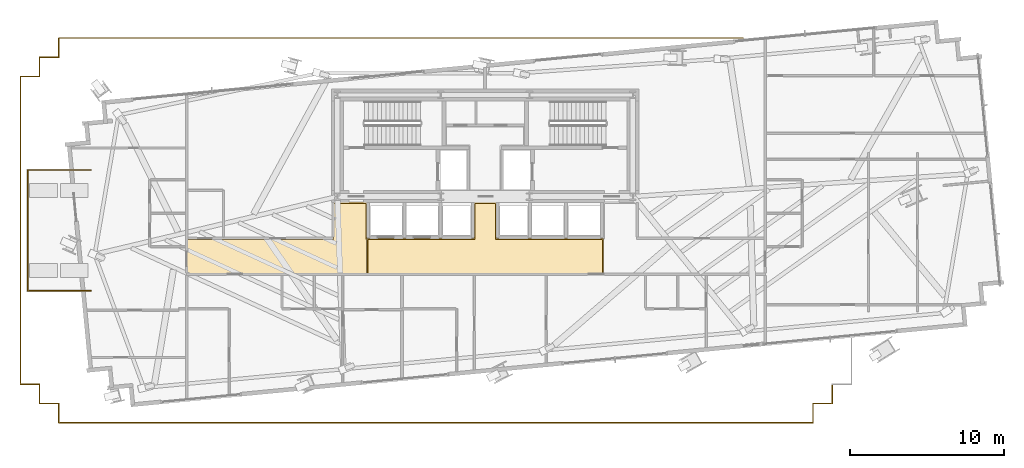
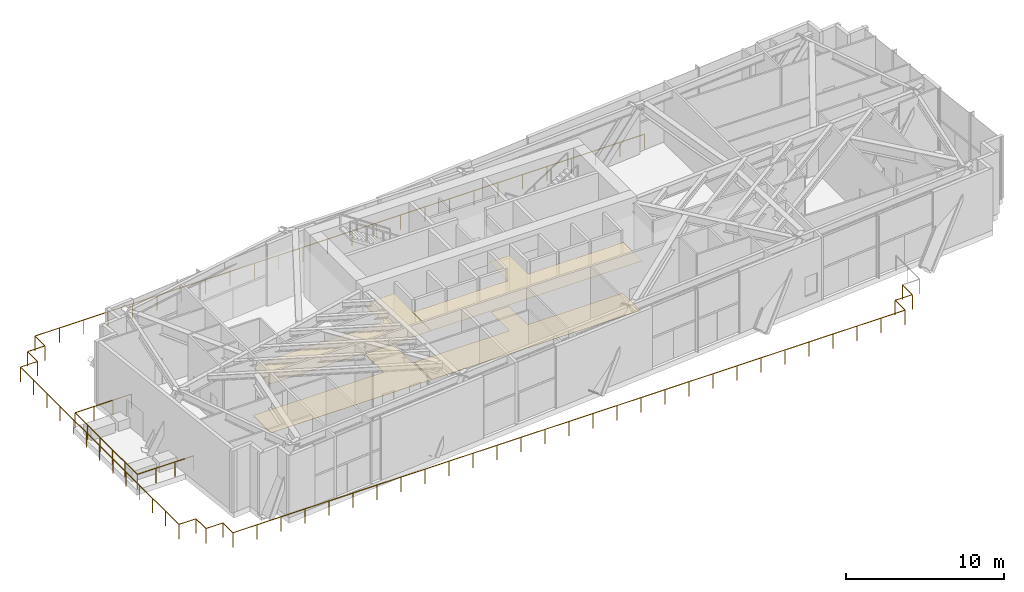
# One storey, part 25 of 28: 4 coverings, 2 railings.
"""IFC4 building model written with IfcOpenShell, lengths in metres."""

from ifc_helpers import new_model, si_unit, direction, frame, origin, origin_2d, place, context, subcontext, project, spatial, polyline, rectangle, outline, extrude, source, transform, mapped, material, layer, layer_set, type_object, type_shapes, element, save


model = new_model("IFC4")

# Units and contexts
model_context = context("Model", 3, precision=1e-05, world=origin(), true_north=direction((0.0, 1.0)))
body_context = subcontext(model_context, "Body", "Model", "MODEL_VIEW")
ifc_project = project(units=[si_unit("LENGTHUNIT", "METRE"), si_unit("AREAUNIT", "SQUARE_METRE"), si_unit("VOLUMEUNIT", "CUBIC_METRE"), si_unit("PLANEANGLEUNIT", "RADIAN"), si_unit("MASSUNIT", "GRAM", prefix="KILO")], contexts=[model_context])

# Site, building, storey
site_placement = place(None, origin())
site = spatial("IfcSite", under=ifc_project, at=site_placement, CompositionType="ELEMENT")
building_placement = place(site_placement, origin())
building = spatial("IfcBuilding", under=site, at=building_placement, Name="Astriad Promenade Condominiums", CompositionType="ELEMENT")
storey_placement = place(building_placement, frame((0.0, 0.0, 72.60009765625)))
storey = spatial("IfcBuildingStorey", under=building, at=storey_placement, Name="L20", CompositionType="ELEMENT", Elevation=72.60009765625)

# Coverings
ifc_material_1 = material(Name="Mineral-Fibre Acoustic Ceiling Tile")
ifc_layer_1 = layer(ifc_material_1, 0.02490234375)
ifc_layer_set_1 = layer_set([ifc_layer_1], Name="Mineral-Fibre Acoustic Ceiling Tile")
covering_type_1 = type_object("IfcCoveringType", Name="COV-CEIL-ACOUSTIC-25", PredefinedType="CEILING", material=ifc_layer_set_1)
covering_1_placement = place(storey_placement, frame((0.0, 0.0, 3.8349609375)))
element("IfcCovering", 1, at=covering_1_placement, inside=storey, type_object=covering_type_1, Name="CEIL-L20-LLB", PredefinedType="CEILING", context=body_context, shape_type="SweptSolid", body=[
    extrude(outline(polyline([(43.679931640625, 12.35009765625), (43.679931640625, 12.34716796875), (43.679443359375, 12.343994140625), (43.6787109375, 12.34130859375), (43.677734375, 12.33837890625), (43.676513671875, 12.3359375), (43.6748046875, 12.333251953125), (43.673095703125, 12.3310546875), (43.671142578125, 12.328857421875), (43.6689453125, 12.326904296875), (43.666748046875, 12.3251953125), (43.6640625, 12.323486328125), (43.66162109375, 12.322265625), (43.65869140625, 12.3212890625), (43.656005859375, 12.320556640625), (43.65283203125, 12.320068359375), (43.64990234375, 12.320068359375), (28.35009765625, 12.320068359375), (28.34716796875, 12.320068359375), (28.343994140625, 12.320556640625), (28.34130859375, 12.3212890625), (28.33837890625, 12.322265625), (28.3359375, 12.323486328125), (28.333251953125, 12.3251953125), (28.3310546875, 12.326904296875), (28.328857421875, 12.328857421875), (28.326904296875, 12.3310546875), (28.3251953125, 12.333251953125), (28.323486328125, 12.3359375), (28.322265625, 12.33837890625), (28.3212890625, 12.34130859375), (28.320556640625, 12.343994140625), (28.320068359375, 12.34716796875), (28.320068359375, 12.35009765625), (28.320068359375, 14.64990234375), (28.320068359375, 14.65283203125), (28.320556640625, 14.656005859375), (28.3212890625, 14.65869140625), (28.322265625, 14.66162109375), (28.323486328125, 14.6640625), (28.3251953125, 14.666748046875), (28.326904296875, 14.6689453125), (28.328857421875, 14.671142578125), (28.3310546875, 14.673095703125), (28.333251953125, 14.6748046875), (28.3359375, 14.676513671875), (28.33837890625, 14.677734375), (28.34130859375, 14.6787109375), (28.343994140625, 14.679443359375), (28.34716796875, 14.679931640625), (28.35009765625, 14.679931640625), (35.27001953125, 14.679931640625), (35.27001953125, 17.0), (35.27001953125, 17.0029296875), (35.2705078125, 17.005859375), (35.271240234375, 17.0087890625), (35.272216796875, 17.011474609375), (35.2734375, 17.01416015625), (35.275146484375, 17.0166015625), (35.27685546875, 17.01904296875), (35.27880859375, 17.021240234375), (35.281005859375, 17.023193359375), (35.283203125, 17.02490234375), (35.285888671875, 17.026611328125), (35.28857421875, 17.027587890625), (35.291259765625, 17.02880859375), (35.294189453125, 17.029296875), (35.297119140625, 17.02978515625), (35.300048828125, 17.030029296875), (36.699951171875, 17.030029296875), (36.702880859375, 17.02978515625), (36.705810546875, 17.029296875), (36.708740234375, 17.02880859375), (36.71142578125, 17.027587890625), (36.714111328125, 17.026611328125), (36.716796875, 17.02490234375), (36.718994140625, 17.023193359375), (36.72119140625, 17.021240234375), (36.72314453125, 17.01904296875), (36.724853515625, 17.0166015625), (36.7265625, 17.01416015625), (36.727783203125, 17.011474609375), (36.728759765625, 17.0087890625), (36.7294921875, 17.005859375), (36.72998046875, 17.0029296875), (36.72998046875, 17.0), (36.72998046875, 14.679931640625), (43.64990234375, 14.679931640625), (43.65283203125, 14.679931640625), (43.656005859375, 14.679443359375), (43.65869140625, 14.6787109375), (43.66162109375, 14.677734375), (43.6640625, 14.676513671875), (43.666748046875, 14.6748046875), (43.6689453125, 14.673095703125), (43.671142578125, 14.671142578125), (43.673095703125, 14.6689453125), (43.6748046875, 14.666748046875), (43.676513671875, 14.6640625), (43.677734375, 14.66162109375), (43.6787109375, 14.65869140625), (43.679443359375, 14.656005859375), (43.679931640625, 14.65283203125), (43.679931640625, 14.64990234375), (43.679931640625, 12.35009765625)])), origin(), (0.0, 0.0, 1.0), 0.02490234375),
])
covering_2_placement = place(storey_placement, frame((0.0, 0.0, 3.8349609375)))
element("IfcCovering", 2, at=covering_2_placement, inside=storey, type_object=covering_type_1, Name="CEIL-L20-COR-2", PredefinedType="CEILING", context=body_context, shape_type="SweptSolid", body=[
    extrude(outline(polyline([(16.59716796875, 12.320068359375), (16.593994140625, 12.320556640625), (16.59130859375, 12.3212890625), (16.58837890625, 12.322265625), (16.5859375, 12.323486328125), (16.583251953125, 12.3251953125), (16.5810546875, 12.326904296875), (16.578857421875, 12.328857421875), (16.576904296875, 12.3310546875), (16.5751953125, 12.333251953125), (16.573486328125, 12.3359375), (16.572265625, 12.33837890625), (16.5712890625, 12.34130859375), (16.570556640625, 12.343994140625), (16.570068359375, 12.34716796875), (16.570068359375, 12.35009765625), (16.570068359375, 14.659912109375), (16.570068359375, 14.662841796875), (16.570556640625, 14.666015625), (16.5712890625, 14.668701171875), (16.572265625, 14.67138671875), (16.573486328125, 14.674072265625), (16.5751953125, 14.6767578125), (16.576904296875, 14.678955078125), (16.578857421875, 14.68115234375), (16.5810546875, 14.68310546875), (16.583251953125, 14.684814453125), (16.5859375, 14.6865234375), (16.58837890625, 14.687744140625), (16.59130859375, 14.688720703125), (16.593994140625, 14.689453125), (16.59716796875, 14.68994140625), (16.60009765625, 14.68994140625), (26.090087890625, 14.68994140625), (26.090087890625, 17.0), (26.090087890625, 17.0029296875), (26.090576171875, 17.005859375), (26.09130859375, 17.0087890625), (26.09228515625, 17.011474609375), (26.093505859375, 17.01416015625), (26.09521484375, 17.0166015625), (26.0966796875, 17.01904296875), (26.098876953125, 17.021240234375), (26.10107421875, 17.023193359375), (26.103271484375, 17.02490234375), (26.10595703125, 17.026611328125), (26.1083984375, 17.027587890625), (26.111328125, 17.02880859375), (26.114013671875, 17.029296875), (26.1171875, 17.02978515625), (26.1201171875, 17.030029296875), (28.300048828125, 17.030029296875), (28.302978515625, 17.02978515625), (28.305908203125, 17.029296875), (28.30859375, 17.02880859375), (28.3115234375, 17.027587890625), (28.314208984375, 17.026611328125), (28.316650390625, 17.02490234375), (28.319091796875, 17.023193359375), (28.3212890625, 17.021240234375), (28.3232421875, 17.01904296875), (28.324951171875, 17.0166015625), (28.326416015625, 17.01416015625), (28.32763671875, 17.011474609375), (28.32861328125, 17.0087890625), (28.329345703125, 17.005859375), (28.329833984375, 17.0029296875), (28.330078125, 17.0), (28.330078125, 14.69580078125), (28.330078125, 14.69580078125), (28.327392578125, 14.694580078125), (28.32568359375, 14.693603515625), (28.322998046875, 14.692138671875), (28.3212890625, 14.69091796875), (28.319091796875, 14.689208984375), (28.3173828125, 14.68798828125), (28.3154296875, 14.68603515625), (28.31396484375, 14.6845703125), (28.31201171875, 14.6826171875), (28.310791015625, 14.680908203125), (28.30908203125, 14.6787109375), (28.307861328125, 14.677001953125), (28.306396484375, 14.67431640625), (28.305419921875, 14.672607421875), (28.30419921875, 14.669921875), (28.303466796875, 14.668212890625), (28.302490234375, 14.665283203125), (28.302001953125, 14.66357421875), (28.30126953125, 14.66064453125), (28.30078125, 14.65869140625), (28.30029296875, 14.656005859375), (28.30029296875, 14.65380859375), (28.300048828125, 14.65087890625), (28.300048828125, 14.64990234375), (28.300048828125, 12.35009765625), (28.300048828125, 12.34912109375), (28.30029296875, 12.34619140625), (28.30029296875, 12.343994140625), (28.30078125, 12.34130859375), (28.30126953125, 12.33935546875), (28.302001953125, 12.33642578125), (28.302490234375, 12.334716796875), (28.303466796875, 12.331787109375), (28.30419921875, 12.330078125), (28.305419921875, 12.327392578125), (28.306396484375, 12.32568359375), (28.307861328125, 12.322998046875), (28.30908203125, 12.3212890625), (28.31005859375, 12.320068359375), (16.60009765625, 12.320068359375), (16.59716796875, 12.320068359375)])), origin(), (0.0, 0.0, 1.0), 0.02490234375),
])
ifc_material_2 = material(Name="Polished Lakefront Terrazzo Flooring")
ifc_layer_2 = layer(ifc_material_2, 0.02001953125)
ifc_layer_set_2 = layer_set([ifc_layer_2], Name="Polished Lakefront Terrazzo Flooring")
covering_type_2 = type_object("IfcCoveringType", Name="COV-FLOR-TERRAZZO-20", PredefinedType="FLOORING", material=ifc_layer_set_2)
covering_3_placement = place(storey_placement, origin())
element("IfcCovering", 3, at=covering_3_placement, inside=storey, type_object=covering_type_2, Name="FLR-L20-LLB", PredefinedType="FLOORING", context=body_context, shape_type="SweptSolid", body=[
    extrude(outline(polyline([(43.610107421875, 14.610107421875), (43.610107421875, 12.389892578125), (28.389892578125, 12.389892578125), (28.389892578125, 14.610107421875), (35.300048828125, 14.610107421875), (35.303955078125, 14.610107421875), (35.307861328125, 14.61083984375), (35.3115234375, 14.61181640625), (35.315185546875, 14.613037109375), (35.31884765625, 14.61474609375), (35.322265625, 14.61669921875), (35.325439453125, 14.619140625), (35.328369140625, 14.62158203125), (35.330810546875, 14.62451171875), (35.333251953125, 14.627685546875), (35.335205078125, 14.631103515625), (35.3369140625, 14.634765625), (35.33837890625, 14.638427734375), (35.339111328125, 14.64208984375), (35.33984375, 14.64599609375), (35.340087890625, 14.64990234375), (35.340087890625, 16.9599609375), (36.659912109375, 16.9599609375), (36.659912109375, 14.64990234375), (36.66015625, 14.64599609375), (36.660888671875, 14.64208984375), (36.66162109375, 14.638427734375), (36.6630859375, 14.634765625), (36.664794921875, 14.631103515625), (36.666748046875, 14.627685546875), (36.669189453125, 14.62451171875), (36.671630859375, 14.62158203125), (36.674560546875, 14.619140625), (36.677734375, 14.61669921875), (36.68115234375, 14.61474609375), (36.684814453125, 14.613037109375), (36.6884765625, 14.61181640625), (36.692138671875, 14.61083984375), (36.696044921875, 14.610107421875), (36.699951171875, 14.610107421875), (43.610107421875, 14.610107421875)])), origin(), (0.0, 0.0, 1.0), 0.02001953125),
])
covering_4_placement = place(storey_placement, origin())
element("IfcCovering", 4, at=covering_4_placement, inside=storey, type_object=covering_type_2, Name="FLR-L20-COR-2", PredefinedType="FLOORING", context=body_context, shape_type="SweptSolid", body=[
    extrude(outline(polyline([(28.300048828125, 12.389892578125), (16.639892578125, 12.389892578125), (16.639892578125, 14.6201171875), (26.1201171875, 14.6201171875), (26.123779296875, 14.6201171875), (26.127685546875, 14.620849609375), (26.131591796875, 14.62158203125), (26.13525390625, 14.623046875), (26.138916015625, 14.624755859375), (26.14208984375, 14.626708984375), (26.1455078125, 14.629150390625), (26.148193359375, 14.631591796875), (26.15087890625, 14.634521484375), (26.1533203125, 14.6376953125), (26.1552734375, 14.64111328125), (26.156982421875, 14.644775390625), (26.158203125, 14.6484375), (26.1591796875, 14.652099609375), (26.159912109375, 14.656005859375), (26.159912109375, 14.659912109375), (26.159912109375, 16.9599609375), (28.260009765625, 16.9599609375), (28.260009765625, 14.64990234375), (28.26025390625, 14.64599609375), (28.2607421875, 14.64208984375), (28.26171875, 14.638427734375), (28.262939453125, 14.634765625), (28.2646484375, 14.631103515625), (28.2666015625, 14.627685546875), (28.26904296875, 14.62451171875), (28.271728515625, 14.62158203125), (28.274658203125, 14.619140625), (28.27783203125, 14.61669921875), (28.281005859375, 14.61474609375), (28.28466796875, 14.613037109375), (28.288330078125, 14.61181640625), (28.292236328125, 14.61083984375), (28.296142578125, 14.610107421875), (28.300048828125, 14.610107421875), (28.300048828125, 12.389892578125)])), origin(), (0.0, 0.0, 1.0), 0.02001953125),
])

# Railings
ifc_material_3 = material(Name="Anodised Aluminium and Glass Terrace Guardrail", Category="aluminium")
railing_type = type_object("IfcRailingType", Name="GRD-TERR-1150", PredefinedType="GUARDRAIL", material=ifc_material_3)
shared_shape_1 = source(origin(), body_context, "Body", "SweptSolid", [
    extrude(rectangle(XDim=0.048095703125, YDim=0.048095703125, at=origin_2d()), frame((0.0, 0.0, 1.1259765625), z_axis=(0.0, -1.0, 0.0), x_axis=(1.0, 0.0, 0.0)), (0.0, 0.0, 1.0), 1.25),
    extrude(rectangle(XDim=0.048095703125, YDim=0.048095703125, at=origin_2d()), frame((0.0, -1.25, 1.1259765625), z_axis=(-1.0, 0.0, 0.0), x_axis=(0.0, -1.0, 0.0)), (0.0, 0.0, 1.0), 1.25),
    extrude(rectangle(XDim=0.048095703125, YDim=0.048095703125, at=origin_2d()), frame((-1.25, -1.25, 1.1259765625), z_axis=(0.0, -1.0, 0.0), x_axis=(1.0, 0.0, 0.0)), (0.0, 0.0, 1.0), 1.25),
    extrude(rectangle(XDim=0.048095703125, YDim=0.048095703125, at=origin_2d()), frame((-1.25, -2.5, 1.1259765625), z_axis=(-1.0, 0.0, 0.0), x_axis=(0.0, -1.0, 0.0)), (0.0, 0.0, 1.0), 49.0),
    extrude(rectangle(XDim=0.048095703125, YDim=0.048095703125, at=origin_2d()), frame((-50.25, -2.5, 1.1259765625), z_axis=(0.0, 1.0, 0.0), x_axis=(-1.0, 0.0, 0.0)), (0.0, 0.0, 1.0), 1.25),
    extrude(rectangle(XDim=0.048095703125, YDim=0.048095703125, at=origin_2d()), frame((-50.25, -1.25, 1.1259765625), z_axis=(-1.0, 0.0, 0.0), x_axis=(0.0, -1.0, 0.0)), (0.0, 0.0, 1.0), 1.25),
    extrude(rectangle(XDim=0.048095703125, YDim=0.048095703125, at=origin_2d()), frame((-51.5, -1.25, 1.1259765625), z_axis=(0.0, 1.0, 0.0), x_axis=(-1.0, 0.0, 0.0)), (0.0, 0.0, 1.0), 1.25),
    extrude(rectangle(XDim=0.048095703125, YDim=0.048095703125, at=origin_2d()), frame((-51.5, 0.0, 1.1259765625), z_axis=(-1.0, 0.0, 0.0), x_axis=(0.0, -1.0, 0.0)), (0.0, 0.0, 1.0), 1.25),
    extrude(rectangle(XDim=0.048095703125, YDim=0.048095703125, at=origin_2d()), frame((-52.75, 0.0, 1.1259765625), z_axis=(0.0, 1.0, 0.0), x_axis=(-1.0, 0.0, 0.0)), (0.0, 0.0, 1.0), 20.0),
    extrude(rectangle(XDim=0.048095703125, YDim=0.048095703125, at=origin_2d()), frame((-52.75, 20.0, 1.1259765625), z_axis=(1.0, 0.0, 0.0), x_axis=(0.0, 1.0, 0.0)), (0.0, 0.0, 1.0), 1.25),
    extrude(rectangle(XDim=0.048095703125, YDim=0.048095703125, at=origin_2d()), frame((-51.5, 20.0, 1.1259765625), z_axis=(0.0, 1.0, 0.0), x_axis=(-1.0, 0.0, 0.0)), (0.0, 0.0, 1.0), 1.25),
    extrude(rectangle(XDim=0.048095703125, YDim=0.048095703125, at=origin_2d()), frame((-51.5, 21.25, 1.1259765625), z_axis=(1.0, 0.0, 0.0), x_axis=(0.0, 1.0, 0.0)), (0.0, 0.0, 1.0), 1.25),
    extrude(rectangle(XDim=0.048095703125, YDim=0.048095703125, at=origin_2d()), frame((-50.25, 21.25, 1.1259765625), z_axis=(0.0, 1.0, 0.0), x_axis=(-1.0, 0.0, 0.0)), (0.0, 0.0, 1.0), 1.25),
    extrude(rectangle(XDim=0.048095703125, YDim=0.048095703125, at=origin_2d()), frame((-50.25, 22.5, 1.1259765625), z_axis=(1.0, 0.0, 0.0), x_axis=(0.0, 1.0, 0.0)), (0.0, 0.0, 1.0), 44.43701171875),
    extrude(rectangle(XDim=0.0419921875, YDim=0.0419921875, at=origin_2d()), origin(), (0.0, 0.0, 1.0), 1.101806640625),
    extrude(rectangle(XDim=0.0419921875, YDim=0.0419921875, at=origin_2d()), frame((0.0, -1.25, 0.0)), (0.0, 0.0, 1.0), 1.101806640625),
    extrude(rectangle(XDim=0.0419921875, YDim=0.0419921875, at=origin_2d()), frame((-1.25, -1.25, 0.0)), (0.0, 0.0, 1.0), 1.101806640625),
    extrude(rectangle(XDim=0.0419921875, YDim=0.0419921875, at=origin_2d()), frame((-1.25, -2.5, 0.0)), (0.0, 0.0, 1.0), 1.101806640625),
    extrude(rectangle(XDim=0.0419921875, YDim=0.0419921875, at=origin_2d()), frame((-3.0, -2.5, 0.0)), (0.0, 0.0, 1.0), 1.101806640625),
    extrude(rectangle(XDim=0.0419921875, YDim=0.0419921875, at=origin_2d()), frame((-4.75, -2.5, 0.0)), (0.0, 0.0, 1.0), 1.101806640625),
    extrude(rectangle(XDim=0.0419921875, YDim=0.0419921875, at=origin_2d()), frame((-6.5, -2.5, 0.0)), (0.0, 0.0, 1.0), 1.101806640625),
    extrude(rectangle(XDim=0.0419921875, YDim=0.0419921875, at=origin_2d()), frame((-8.25, -2.5, 0.0)), (0.0, 0.0, 1.0), 1.101806640625),
    extrude(rectangle(XDim=0.0419921875, YDim=0.0419921875, at=origin_2d()), frame((-10.0, -2.5, 0.0)), (0.0, 0.0, 1.0), 1.101806640625),
    extrude(rectangle(XDim=0.0419921875, YDim=0.0419921875, at=origin_2d()), frame((-11.75, -2.5, 0.0)), (0.0, 0.0, 1.0), 1.101806640625),
    extrude(rectangle(XDim=0.0419921875, YDim=0.0419921875, at=origin_2d()), frame((-13.5, -2.5, 0.0)), (0.0, 0.0, 1.0), 1.101806640625),
    extrude(rectangle(XDim=0.0419921875, YDim=0.0419921875, at=origin_2d()), frame((-15.25, -2.5, 0.0)), (0.0, 0.0, 1.0), 1.101806640625),
    extrude(rectangle(XDim=0.0419921875, YDim=0.0419921875, at=origin_2d()), frame((-17.0, -2.5, 0.0)), (0.0, 0.0, 1.0), 1.101806640625),
    extrude(rectangle(XDim=0.0419921875, YDim=0.0419921875, at=origin_2d()), frame((-18.75, -2.5, 0.0)), (0.0, 0.0, 1.0), 1.101806640625),
    extrude(rectangle(XDim=0.0419921875, YDim=0.0419921875, at=origin_2d()), frame((-20.5, -2.5, 0.0)), (0.0, 0.0, 1.0), 1.101806640625),
    extrude(rectangle(XDim=0.0419921875, YDim=0.0419921875, at=origin_2d()), frame((-22.25, -2.5, 0.0)), (0.0, 0.0, 1.0), 1.101806640625),
    extrude(rectangle(XDim=0.0419921875, YDim=0.0419921875, at=origin_2d()), frame((-24.0, -2.5, 0.0)), (0.0, 0.0, 1.0), 1.101806640625),
    extrude(rectangle(XDim=0.0419921875, YDim=0.0419921875, at=origin_2d()), frame((-25.75, -2.5, 0.0)), (0.0, 0.0, 1.0), 1.101806640625),
    extrude(rectangle(XDim=0.0419921875, YDim=0.0419921875, at=origin_2d()), frame((-27.5, -2.5, 0.0)), (0.0, 0.0, 1.0), 1.101806640625),
    extrude(rectangle(XDim=0.0419921875, YDim=0.0419921875, at=origin_2d()), frame((-29.25, -2.5, 0.0)), (0.0, 0.0, 1.0), 1.101806640625),
    extrude(rectangle(XDim=0.0419921875, YDim=0.0419921875, at=origin_2d()), frame((-31.0, -2.5, 0.0)), (0.0, 0.0, 1.0), 1.101806640625),
    extrude(rectangle(XDim=0.0419921875, YDim=0.0419921875, at=origin_2d()), frame((-32.75, -2.5, 0.0)), (0.0, 0.0, 1.0), 1.101806640625),
    extrude(rectangle(XDim=0.0419921875, YDim=0.0419921875, at=origin_2d()), frame((-34.5, -2.5, 0.0)), (0.0, 0.0, 1.0), 1.101806640625),
    extrude(rectangle(XDim=0.0419921875, YDim=0.0419921875, at=origin_2d()), frame((-36.25, -2.5, 0.0)), (0.0, 0.0, 1.0), 1.101806640625),
    extrude(rectangle(XDim=0.0419921875, YDim=0.0419921875, at=origin_2d()), frame((-38.0, -2.5, 0.0)), (0.0, 0.0, 1.0), 1.101806640625),
    extrude(rectangle(XDim=0.0419921875, YDim=0.0419921875, at=origin_2d()), frame((-39.75, -2.5, 0.0)), (0.0, 0.0, 1.0), 1.101806640625),
    extrude(rectangle(XDim=0.0419921875, YDim=0.0419921875, at=origin_2d()), frame((-41.5, -2.5, 0.0)), (0.0, 0.0, 1.0), 1.101806640625),
    extrude(rectangle(XDim=0.0419921875, YDim=0.0419921875, at=origin_2d()), frame((-43.25, -2.5, 0.0)), (0.0, 0.0, 1.0), 1.101806640625),
    extrude(rectangle(XDim=0.0419921875, YDim=0.0419921875, at=origin_2d()), frame((-45.0, -2.5, 0.0)), (0.0, 0.0, 1.0), 1.101806640625),
    extrude(rectangle(XDim=0.0419921875, YDim=0.0419921875, at=origin_2d()), frame((-46.75, -2.5, 0.0)), (0.0, 0.0, 1.0), 1.101806640625),
    extrude(rectangle(XDim=0.0419921875, YDim=0.0419921875, at=origin_2d()), frame((-48.5, -2.5, 0.0)), (0.0, 0.0, 1.0), 1.101806640625),
    extrude(rectangle(XDim=0.0419921875, YDim=0.0419921875, at=origin_2d()), frame((-50.25, -2.5, 0.0)), (0.0, 0.0, 1.0), 1.101806640625),
    extrude(rectangle(XDim=0.0419921875, YDim=0.0419921875, at=origin_2d()), frame((-50.25, -1.25, 0.0)), (0.0, 0.0, 1.0), 1.101806640625),
    extrude(rectangle(XDim=0.0419921875, YDim=0.0419921875, at=origin_2d()), frame((-51.5, -1.25, 0.0)), (0.0, 0.0, 1.0), 1.101806640625),
    extrude(rectangle(XDim=0.0419921875, YDim=0.0419921875, at=origin_2d()), frame((-51.5, 0.0, 0.0)), (0.0, 0.0, 1.0), 1.101806640625),
    extrude(rectangle(XDim=0.0419921875, YDim=0.0419921875, at=origin_2d()), frame((-52.75, 0.0, 0.0)), (0.0, 0.0, 1.0), 1.101806640625),
    extrude(rectangle(XDim=0.0419921875, YDim=0.0419921875, at=origin_2d()), frame((-52.75, 1.666748046875, 0.0)), (0.0, 0.0, 1.0), 1.101806640625),
    extrude(rectangle(XDim=0.0419921875, YDim=0.0419921875, at=origin_2d()), frame((-52.75, 3.333251953125, 0.0)), (0.0, 0.0, 1.0), 1.101806640625),
    extrude(rectangle(XDim=0.0419921875, YDim=0.0419921875, at=origin_2d()), frame((-52.75, 5.0, 0.0)), (0.0, 0.0, 1.0), 1.101806640625),
    extrude(rectangle(XDim=0.0419921875, YDim=0.0419921875, at=origin_2d()), frame((-52.75, 6.666748046875, 0.0)), (0.0, 0.0, 1.0), 1.101806640625),
    extrude(rectangle(XDim=0.0419921875, YDim=0.0419921875, at=origin_2d()), frame((-52.75, 8.333251953125, 0.0)), (0.0, 0.0, 1.0), 1.101806640625),
    extrude(rectangle(XDim=0.0419921875, YDim=0.0419921875, at=origin_2d()), frame((-52.75, 10.0, 0.0)), (0.0, 0.0, 1.0), 1.101806640625),
    extrude(rectangle(XDim=0.0419921875, YDim=0.0419921875, at=origin_2d()), frame((-52.75, 11.666748046875, 0.0)), (0.0, 0.0, 1.0), 1.101806640625),
    extrude(rectangle(XDim=0.0419921875, YDim=0.0419921875, at=origin_2d()), frame((-52.75, 13.333251953125, 0.0)), (0.0, 0.0, 1.0), 1.101806640625),
    extrude(rectangle(XDim=0.0419921875, YDim=0.0419921875, at=origin_2d()), frame((-52.75, 15.0, 0.0)), (0.0, 0.0, 1.0), 1.101806640625),
    extrude(rectangle(XDim=0.0419921875, YDim=0.0419921875, at=origin_2d()), frame((-52.75, 16.666748046875, 0.0)), (0.0, 0.0, 1.0), 1.101806640625),
    extrude(rectangle(XDim=0.0419921875, YDim=0.0419921875, at=origin_2d()), frame((-52.75, 18.333251953125, 0.0)), (0.0, 0.0, 1.0), 1.101806640625),
    extrude(rectangle(XDim=0.0419921875, YDim=0.0419921875, at=origin_2d()), frame((-52.75, 20.0, 0.0)), (0.0, 0.0, 1.0), 1.101806640625),
    extrude(rectangle(XDim=0.0419921875, YDim=0.0419921875, at=origin_2d()), frame((-51.5, 20.0, 0.0)), (0.0, 0.0, 1.0), 1.101806640625),
    extrude(rectangle(XDim=0.0419921875, YDim=0.0419921875, at=origin_2d()), frame((-51.5, 21.25, 0.0)), (0.0, 0.0, 1.0), 1.101806640625),
    extrude(rectangle(XDim=0.0419921875, YDim=0.0419921875, at=origin_2d()), frame((-50.25, 21.25, 0.0)), (0.0, 0.0, 1.0), 1.101806640625),
    extrude(rectangle(XDim=0.0419921875, YDim=0.0419921875, at=origin_2d()), frame((-50.25, 22.5, 0.0)), (0.0, 0.0, 1.0), 1.101806640625),
    extrude(rectangle(XDim=0.0419921875, YDim=0.0419921875, at=origin_2d()), frame((-48.472412109375, 22.5, 0.0)), (0.0, 0.0, 1.0), 1.101806640625),
    extrude(rectangle(XDim=0.0419921875, YDim=0.0419921875, at=origin_2d()), frame((-46.695068359375, 22.5, 0.0)), (0.0, 0.0, 1.0), 1.101806640625),
    extrude(rectangle(XDim=0.0419921875, YDim=0.0419921875, at=origin_2d()), frame((-44.91748046875, 22.5, 0.0)), (0.0, 0.0, 1.0), 1.101806640625),
    extrude(rectangle(XDim=0.0419921875, YDim=0.0419921875, at=origin_2d()), frame((-43.14013671875, 22.5, 0.0)), (0.0, 0.0, 1.0), 1.101806640625),
    extrude(rectangle(XDim=0.0419921875, YDim=0.0419921875, at=origin_2d()), frame((-41.362548828125, 22.5, 0.0)), (0.0, 0.0, 1.0), 1.101806640625),
    extrude(rectangle(XDim=0.0419921875, YDim=0.0419921875, at=origin_2d()), frame((-39.585205078125, 22.5, 0.0)), (0.0, 0.0, 1.0), 1.101806640625),
    extrude(rectangle(XDim=0.0419921875, YDim=0.0419921875, at=origin_2d()), frame((-37.8076171875, 22.5, 0.0)), (0.0, 0.0, 1.0), 1.101806640625),
    extrude(rectangle(XDim=0.0419921875, YDim=0.0419921875, at=origin_2d()), frame((-36.0302734375, 22.5, 0.0)), (0.0, 0.0, 1.0), 1.101806640625),
    extrude(rectangle(XDim=0.0419921875, YDim=0.0419921875, at=origin_2d()), frame((-34.252685546875, 22.5, 0.0)), (0.0, 0.0, 1.0), 1.101806640625),
    extrude(rectangle(XDim=0.0419921875, YDim=0.0419921875, at=origin_2d()), frame((-32.47509765625, 22.5, 0.0)), (0.0, 0.0, 1.0), 1.101806640625),
    extrude(rectangle(XDim=0.0419921875, YDim=0.0419921875, at=origin_2d()), frame((-30.69775390625, 22.5, 0.0)), (0.0, 0.0, 1.0), 1.101806640625),
    extrude(rectangle(XDim=0.0419921875, YDim=0.0419921875, at=origin_2d()), frame((-28.920166015625, 22.5, 0.0)), (0.0, 0.0, 1.0), 1.101806640625),
    extrude(rectangle(XDim=0.0419921875, YDim=0.0419921875, at=origin_2d()), frame((-27.142822265625, 22.5, 0.0)), (0.0, 0.0, 1.0), 1.101806640625),
    extrude(rectangle(XDim=0.0419921875, YDim=0.0419921875, at=origin_2d()), frame((-25.365234375, 22.5, 0.0)), (0.0, 0.0, 1.0), 1.101806640625),
    extrude(rectangle(XDim=0.0419921875, YDim=0.0419921875, at=origin_2d()), frame((-23.587890625, 22.5, 0.0)), (0.0, 0.0, 1.0), 1.101806640625),
    extrude(rectangle(XDim=0.0419921875, YDim=0.0419921875, at=origin_2d()), frame((-21.810302734375, 22.5, 0.0)), (0.0, 0.0, 1.0), 1.101806640625),
    extrude(rectangle(XDim=0.0419921875, YDim=0.0419921875, at=origin_2d()), frame((-20.03271484375, 22.5, 0.0)), (0.0, 0.0, 1.0), 1.101806640625),
    extrude(rectangle(XDim=0.0419921875, YDim=0.0419921875, at=origin_2d()), frame((-18.25537109375, 22.5, 0.0)), (0.0, 0.0, 1.0), 1.101806640625),
    extrude(rectangle(XDim=0.0419921875, YDim=0.0419921875, at=origin_2d()), frame((-16.477783203125, 22.5, 0.0)), (0.0, 0.0, 1.0), 1.101806640625),
    extrude(rectangle(XDim=0.0419921875, YDim=0.0419921875, at=origin_2d()), frame((-14.700439453125, 22.5, 0.0)), (0.0, 0.0, 1.0), 1.101806640625),
    extrude(rectangle(XDim=0.0419921875, YDim=0.0419921875, at=origin_2d()), frame((-12.9228515625, 22.5, 0.0)), (0.0, 0.0, 1.0), 1.101806640625),
    extrude(rectangle(XDim=0.0419921875, YDim=0.0419921875, at=origin_2d()), frame((-11.1455078125, 22.5, 0.0)), (0.0, 0.0, 1.0), 1.101806640625),
    extrude(rectangle(XDim=0.0419921875, YDim=0.0419921875, at=origin_2d()), frame((-9.367919921875, 22.5, 0.0)), (0.0, 0.0, 1.0), 1.101806640625),
    extrude(rectangle(XDim=0.0419921875, YDim=0.0419921875, at=origin_2d()), frame((-7.590576171875, 22.5, 0.0)), (0.0, 0.0, 1.0), 1.101806640625),
    extrude(rectangle(XDim=0.0419921875, YDim=0.0419921875, at=origin_2d()), frame((-5.81298828125, 22.5, 0.0)), (0.0, 0.0, 1.0), 1.101806640625),
])
railing_1_placement = place(storey_placement, frame((58.550048828125, 5.199951171875, 0.0)))
element("IfcRailing", 5, at=railing_1_placement, inside=storey, type_object=railing_type, Name="GRD-TSTEP-L20-01", PredefinedType="GUARDRAIL", context=body_context, shape_type="MappedRepresentation", body=[
    mapped(shared_shape_1, transform((0.0, 0.0, 0.0), scale=1.0)),
])
shared_shape_2 = source(origin(), body_context, "Body", "SweptSolid", [
    extrude(rectangle(XDim=0.048095703125, YDim=0.048095703125, at=origin_2d()), frame((0.0, 0.0, 1.1259765625), z_axis=(-1.0, 0.0, 0.0), x_axis=(0.0, -1.0, 0.0)), (0.0, 0.0, 1.0), 4.119873046875),
    extrude(rectangle(XDim=0.048095703125, YDim=0.048095703125, at=origin_2d()), frame((-4.119873046875, 0.0, 1.1259765625), z_axis=(0.0, 1.0, 0.0), x_axis=(-1.0, 0.0, 0.0)), (0.0, 0.0, 1.0), 7.840087890625),
    extrude(rectangle(XDim=0.048095703125, YDim=0.048095703125, at=origin_2d()), frame((-4.119873046875, 7.840087890625, 1.1259765625), z_axis=(1.0, 0.0, 0.0), x_axis=(0.0, 1.0, 0.0)), (0.0, 0.0, 1.0), 4.119873046875),
    extrude(rectangle(XDim=0.0419921875, YDim=0.0419921875, at=origin_2d()), origin(), (0.0, 0.0, 1.0), 1.101806640625),
    extrude(rectangle(XDim=0.0419921875, YDim=0.0419921875, at=origin_2d()), frame((-1.373291015625, 0.0, 0.0)), (0.0, 0.0, 1.0), 1.101806640625),
    extrude(rectangle(XDim=0.0419921875, YDim=0.0419921875, at=origin_2d()), frame((-2.74658203125, 0.0, 0.0)), (0.0, 0.0, 1.0), 1.101806640625),
    extrude(rectangle(XDim=0.0419921875, YDim=0.0419921875, at=origin_2d()), frame((-4.119873046875, 0.0, 0.0)), (0.0, 0.0, 1.0), 1.101806640625),
    extrude(rectangle(XDim=0.0419921875, YDim=0.0419921875, at=origin_2d()), frame((-4.119873046875, 1.568115234375, 0.0)), (0.0, 0.0, 1.0), 1.101806640625),
    extrude(rectangle(XDim=0.0419921875, YDim=0.0419921875, at=origin_2d()), frame((-4.119873046875, 3.135986328125, 0.0)), (0.0, 0.0, 1.0), 1.101806640625),
    extrude(rectangle(XDim=0.0419921875, YDim=0.0419921875, at=origin_2d()), frame((-4.119873046875, 4.7041015625, 0.0)), (0.0, 0.0, 1.0), 1.101806640625),
    extrude(rectangle(XDim=0.0419921875, YDim=0.0419921875, at=origin_2d()), frame((-4.119873046875, 6.27197265625, 0.0)), (0.0, 0.0, 1.0), 1.101806640625),
    extrude(rectangle(XDim=0.0419921875, YDim=0.0419921875, at=origin_2d()), frame((-4.119873046875, 7.840087890625, 0.0)), (0.0, 0.0, 1.0), 1.101806640625),
    extrude(rectangle(XDim=0.0419921875, YDim=0.0419921875, at=origin_2d()), frame((-2.74658203125, 7.840087890625, 0.0)), (0.0, 0.0, 1.0), 1.101806640625),
    extrude(rectangle(XDim=0.0419921875, YDim=0.0419921875, at=origin_2d()), frame((-1.373291015625, 7.840087890625, 0.0)), (0.0, 0.0, 1.0), 1.101806640625),
    extrude(rectangle(XDim=0.0419921875, YDim=0.0419921875, at=origin_2d()), frame((0.0, 7.840087890625, 0.0)), (0.0, 0.0, 1.0), 1.101806640625),
])
type_shapes(railing_type, [shared_shape_1, shared_shape_2])
railing_2_placement = place(storey_placement, frame((10.39990234375, 11.280029296875, 0.0)))
element("IfcRailing", 6, at=railing_2_placement, inside=storey, type_object=railing_type, Name="GRD-SG-L20", PredefinedType="GUARDRAIL", context=body_context, shape_type="MappedRepresentation", body=[
    mapped(shared_shape_2, transform((0.0, 0.0, 0.0), scale=1.0)),
])

save(model, "model.ifc")
